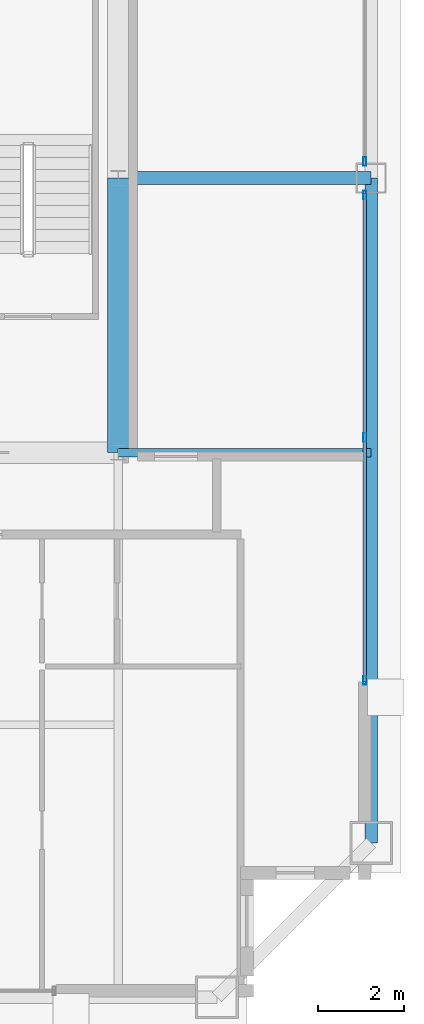
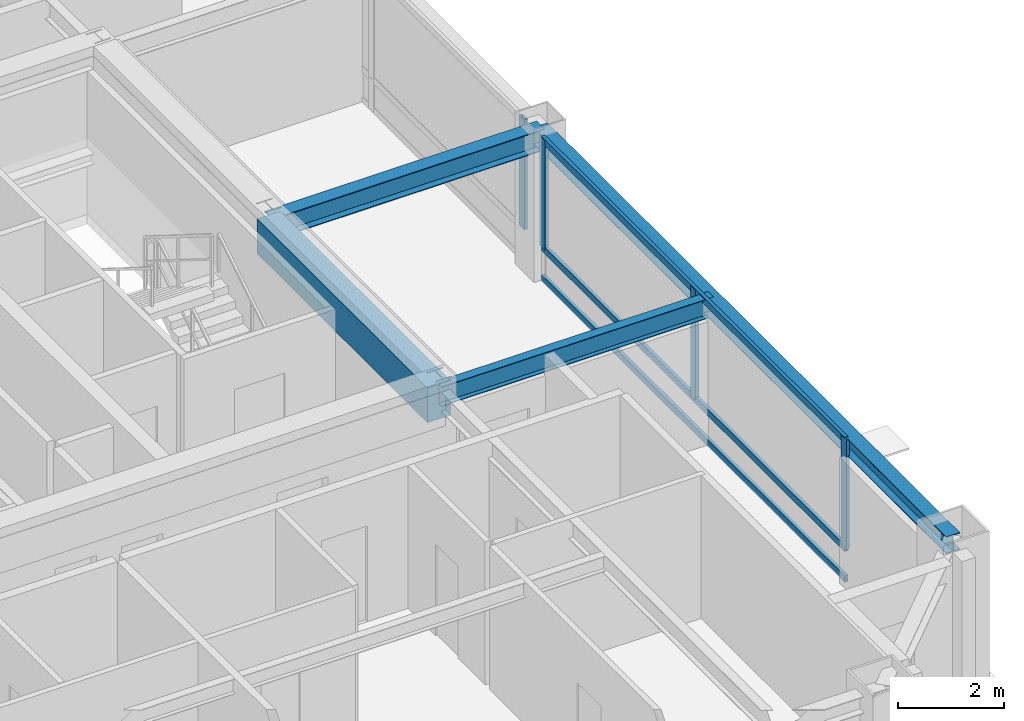
# One storey, part 14 of 35: 7 members, 4 beams, 2 elements without a shape of their own.
"""IFC4 building model written with IfcOpenShell, lengths in metres."""

from ifc_helpers import new_model, si_unit, direction, frame, origin, origin_2d, place, context, subcontext, project, spatial, rectangle, hollow_rectangle, i_section, extrude, source, transform, mapped, material, layer, layer_set, material_profile, profile_set, type_object, element, aggregate, save


model = new_model("IFC4")

# Units and contexts
model_context = context("Model", 3, precision=1e-05, world=origin(), true_north=direction((0.0, 1.0)))
body_context = subcontext(model_context, "Body", "Model", "MODEL_VIEW")
ifc_project = project(units=[si_unit("LENGTHUNIT", "METRE"), si_unit("AREAUNIT", "SQUARE_METRE"), si_unit("VOLUMEUNIT", "CUBIC_METRE"), si_unit("PLANEANGLEUNIT", "RADIAN"), si_unit("MASSUNIT", "GRAM", prefix="KILO"), si_unit("THERMODYNAMICTEMPERATUREUNIT", "KELVIN"), si_unit("POWERUNIT", "WATT")], contexts=[model_context])

# Site, building, storey
site_placement = place(None, origin())
site = spatial("IfcSite", under=ifc_project, at=site_placement, CompositionType="ELEMENT")
building_placement = place(site_placement, origin())
building = spatial("IfcBuilding", under=site, at=building_placement, Name="Yuzanri Waterfront Tower", CompositionType="ELEMENT")
storey_placement = place(building_placement, frame((0.0, 0.0, 311.199951171875)))
storey = spatial("IfcBuildingStorey", under=building, at=storey_placement, Name="L83", CompositionType="ELEMENT", Elevation=311.199951171875)

# Beams
ifc_material_1 = material(Name="Concrete C50", Category="concrete")
ifc_material_profile_1 = material_profile(ifc_material_1, rectangle(XDim=0.5, YDim=0.800048828125, at=origin_2d()), Name="RC 500x800")
ifc_profile_set_1 = profile_set([ifc_material_profile_1], Name="Concrete C50")
beam_type_1 = type_object("IfcBeamType", Name="Core Coupling Lintel Concrete C50 500x800", PredefinedType="LINTEL", material=ifc_profile_set_1)
shared_shape_1 = source(origin(), body_context, "Body", "SweptSolid", [
    extrude(rectangle(XDim=0.5, YDim=0.800048828125, at=origin_2d()), origin(), (0.0, 0.0, 1.0), 6.400146484375),
])
beam_1_placement = place(storey_placement, frame((50.199951171875, 19.39990234375, 2.880126953125), z_axis=(0.0, 1.0, 0.0), x_axis=(-1.0, 0.0, 0.0)))
element("IfcBeam", 1, at=beam_1_placement, inside=storey, type_object=beam_type_1, Name="L83 Core Tie Beam CE1", PredefinedType="LINTEL", context=body_context, shape_type="MappedRepresentation", body=[
    mapped(shared_shape_1, transform((0.0, 0.0, 0.0), scale=1.0)),
])
ifc_material_2 = material(Name="Steel Q355B", Category="steel")
ifc_material_profile_2 = material_profile(ifc_material_2, i_section(OverallWidth=0.300048828125, OverallDepth=0.389892578125, WebThickness=0.010009765625, FlangeThickness=0.01611328125, at=origin_2d()), Name="HM 390x300x10x16")
ifc_profile_set_2 = profile_set([ifc_material_profile_2], Name="Steel Q355B")
beam_type_2 = type_object("IfcBeamType", Name="Perimeter Spandrel Q355B HM 390x300", PredefinedType="SPANDREL", material=ifc_profile_set_2)
shared_shape_2 = source(origin(), body_context, "Body", "SweptSolid", [
    extrude(i_section(OverallWidth=0.300048828125, OverallDepth=0.389892578125, WebThickness=0.010009765625, FlangeThickness=0.01611328125, at=origin_2d()), origin(), (0.0, 0.0, 1.0), 15.5),
])
beam_2_placement = place(storey_placement, frame((56.10009765625, 10.300048828125, 3.0849609375), z_axis=(0.0, 1.0, 0.0), x_axis=(-1.0, 0.0, 0.0)))
element("IfcBeam", 2, at=beam_2_placement, inside=storey, type_object=beam_type_2, Name="L83 Perimeter Spandrel E1-E2", PredefinedType="SPANDREL", context=body_context, shape_type="MappedRepresentation", body=[
    mapped(shared_shape_2, transform((0.0, 0.0, 0.0), scale=1.0)),
])
ifc_material_3 = material(Name="Steel Q355B", Category="steel")
ifc_material_profile_3 = material_profile(ifc_material_3, i_section(OverallWidth=0.300048828125, OverallDepth=0.488037109375, WebThickness=0.010986328125, FlangeThickness=0.01806640625, at=origin_2d()), Name="HM 488x300x11x18")
ifc_profile_set_3 = profile_set([ifc_material_profile_3], Name="Steel Q355B")
beam_type_3 = type_object("IfcBeamType", Name="Primary Floor Girder Q355B HM 488x300", PredefinedType="BEAM", material=ifc_profile_set_3)
shared_shape_3 = source(origin(), body_context, "Body", "SweptSolid", [
    extrude(i_section(OverallWidth=0.300048828125, OverallDepth=0.488037109375, WebThickness=0.010986328125, FlangeThickness=0.01806640625, at=origin_2d()), origin(), (0.0, 0.0, 1.0), 5.900146484375),
])
beam_3_placement = place(storey_placement, frame((50.199951171875, 25.800048828125, 3.0361328125), z_axis=(1.0, 0.0, 0.0), x_axis=(0.0, 1.0, 0.0)))
element("IfcBeam", 3, at=beam_3_placement, inside=storey, type_object=beam_type_3, Name="L83 East Grid Girder", PredefinedType="BEAM", context=body_context, shape_type="MappedRepresentation", body=[
    mapped(shared_shape_3, transform((0.0, 0.0, 0.0), scale=1.0)),
])
ifc_material_4 = material(Name="Steel Q355B", Category="steel")
ifc_material_profile_4 = material_profile(ifc_material_4, i_section(OverallWidth=0.199951171875, OverallDepth=0.449951171875, WebThickness=0.009033203125, FlangeThickness=0.013916015625, at=origin_2d()), Name="HN 450x200x9x14")
ifc_profile_set_4 = profile_set([ifc_material_profile_4], Name="Steel Q355B")
beam_type_4 = type_object("IfcBeamType", Name="Secondary Floor Beam Q355B HN 450x200", PredefinedType="BEAM", material=ifc_profile_set_4)
shared_shape_4 = source(origin(), body_context, "Body", "SweptSolid", [
    extrude(i_section(OverallWidth=0.199951171875, OverallDepth=0.449951171875, WebThickness=0.009033203125, FlangeThickness=0.013916015625, at=origin_2d()), origin(), (0.0, 0.0, 1.0), 5.900146484375),
])
beam_4_placement = place(storey_placement, frame((50.199951171875, 19.39990234375, 3.054931640625), z_axis=(1.0, 0.0, 0.0), x_axis=(0.0, 1.0, 0.0)))
element("IfcBeam", 4, at=beam_4_placement, inside=storey, type_object=beam_type_4, Name="L83 East-South Core Line Beam", PredefinedType="BEAM", context=body_context, shape_type="MappedRepresentation", body=[
    mapped(shared_shape_4, transform((0.0, 0.0, 0.0), scale=1.0)),
])

# Curtain wall, members
ifc_material_5 = material(Name="Anodized Architectural Bronze", Category="metal")
ifc_layer = layer(ifc_material_5, 0.159912109375)
ifc_layer_set = layer_set([ifc_layer], Name="Anodized Architectural Bronze")
curtain_wall_type = type_object("IfcCurtainWallType", Name="Anodized Bronze High-Rise Penthouse High-Wind Unitized Curtain Wall 6900", PredefinedType="NOTDEFINED", material=ifc_layer_set)
curtain_wall_1_placement = place(storey_placement, origin())
curtain_wall_1 = element("IfcCurtainWall", 5, at=curtain_wall_1_placement, inside=storey, type_object=curtain_wall_type, Name="L83 Curtain Wall CW-L83-EL", PredefinedType="NOTDEFINED")
ifc_material_6 = material(Name="Anodized Architectural Bronze", Category="metal")
ifc_material_profile_5 = material_profile(ifc_material_6, hollow_rectangle(XDim=0.074951171875, YDim=0.199951171875, WallThickness=0.00390625, at=origin_2d()), Name="CWM 75x200")
ifc_profile_set_5 = profile_set([ifc_material_profile_5], Name="Anodized Architectural Bronze")
member_type_1 = type_object("IfcMemberType", Name="Anodized Bronze Primary Curtain-Wall Mullion 75x200", PredefinedType="MULLION", material=ifc_profile_set_5)
shared_shape_5 = source(origin(), body_context, "Body", "SweptSolid", [
    extrude(hollow_rectangle(XDim=0.074951171875, YDim=0.199951171875, WallThickness=0.00390625, at=origin_2d()), origin(), (0.0, 0.0, 1.0), 2.52392578125),
])
member_1_placement = place(storey_placement, frame((55.949951171875, 14.090087890625, 0.756103515625), z_axis=(0.0, 0.0, 1.0), x_axis=(1.0, 0.0, 0.0)))
member_1 = element("IfcMember", 6, at=member_1_placement, type_object=member_type_1, Name="CW-L83-EL Upper Mullion 00", PredefinedType="MULLION", context=body_context, shape_type="MappedRepresentation", body=[
    mapped(shared_shape_5, transform((0.0, 0.0, 0.0), scale=1.0)),
])
member_2_placement = place(storey_placement, frame((55.949951171875, 19.75, 0.756103515625), z_axis=(0.0, 0.0, 1.0), x_axis=(1.0, 0.0, 0.0)))
member_2 = element("IfcMember", 7, at=member_2_placement, type_object=member_type_1, Name="CW-L83-EL Upper Mullion 01", PredefinedType="MULLION", context=body_context, shape_type="MappedRepresentation", body=[
    mapped(shared_shape_5, transform((0.0, 0.0, 0.0), scale=1.0)),
])
member_3_placement = place(storey_placement, frame((55.949951171875, 25.409912109375, 0.756103515625), z_axis=(0.0, 0.0, 1.0), x_axis=(1.0, 0.0, 0.0)))
member_3 = element("IfcMember", 8, at=member_3_placement, type_object=member_type_1, Name="CW-L83-EL Upper Mullion 02", PredefinedType="MULLION", context=body_context, shape_type="MappedRepresentation", body=[
    mapped(shared_shape_5, transform((0.0, 0.0, 0.0), scale=1.0)),
])

# Curtain wall, member
curtain_wall_2_placement = place(storey_placement, origin())
curtain_wall_2 = element("IfcCurtainWall", 9, at=curtain_wall_2_placement, inside=storey, type_object=curtain_wall_type, Name="L83 Curtain Wall CW-L83-ER", PredefinedType="NOTDEFINED")
member_4_placement = place(storey_placement, frame((55.949951171875, 26.18994140625, 0.756103515625), z_axis=(0.0, 0.0, 1.0), x_axis=(1.0, 0.0, 0.0)))
member_4 = element("IfcMember", 10, at=member_4_placement, type_object=member_type_1, Name="CW-L83-ER Upper Mullion 00", PredefinedType="MULLION", context=body_context, shape_type="MappedRepresentation", body=[
    mapped(shared_shape_5, transform((0.0, 0.0, 0.0), scale=1.0)),
])
aggregate(curtain_wall_2, [member_4])

# Member
ifc_material_7 = material(Name="Anodized Architectural Bronze", Category="metal")
ifc_material_profile_6 = material_profile(ifc_material_7, hollow_rectangle(XDim=0.074951171875, YDim=0.14990234375, WallThickness=0.00390625, at=origin_2d()), Name="CWT 75x150")
ifc_profile_set_6 = profile_set([ifc_material_profile_6], Name="Anodized Architectural Bronze")
member_type_2 = type_object("IfcMemberType", Name="Anodized Bronze Primary Curtain-Wall Transom 75x150", PredefinedType="USERDEFINED", material=ifc_profile_set_6)
shared_shape_6 = source(origin(), body_context, "Body", "SweptSolid", [
    extrude(hollow_rectangle(XDim=0.074951171875, YDim=0.14990234375, WallThickness=0.00390625, at=origin_2d()), origin(), (0.0, 0.0, 1.0), 11.39990234375),
])
member_5_placement = place(storey_placement, frame((55.949951171875, 14.050048828125, 0.050048828125), z_axis=(0.0, 1.0, 0.0), x_axis=(-1.0, 0.0, 0.0)))
member_5 = element("IfcMember", 11, at=member_5_placement, type_object=member_type_2, Name="CW-L83-EL Transom 1", ObjectType="TRANSOM", PredefinedType="USERDEFINED", context=body_context, shape_type="MappedRepresentation", body=[
    mapped(shared_shape_6, transform((0.0, 0.0, 0.0), scale=1.0)),
])

member_6_placement = place(storey_placement, frame((55.949951171875, 14.050048828125, 0.754150390625), z_axis=(0.0, 1.0, 0.0), x_axis=(-1.0, 0.0, 0.0)))
member_6 = element("IfcMember", 12, at=member_6_placement, type_object=member_type_2, Name="CW-L83-EL Transom 2", ObjectType="TRANSOM", PredefinedType="USERDEFINED", context=body_context, shape_type="MappedRepresentation", body=[
    mapped(shared_shape_6, transform((0.0, 0.0, 0.0), scale=1.0)),
])

member_7_placement = place(storey_placement, frame((55.949951171875, 14.050048828125, 3.22998046875), z_axis=(0.0, 1.0, 0.0), x_axis=(-1.0, 0.0, 0.0)))
member_7 = element("IfcMember", 13, at=member_7_placement, type_object=member_type_2, Name="CW-L83-EL Transom 3", ObjectType="TRANSOM", PredefinedType="USERDEFINED", context=body_context, shape_type="MappedRepresentation", body=[
    mapped(shared_shape_6, transform((0.0, 0.0, 0.0), scale=1.0)),
])

aggregate(curtain_wall_1, [member_1, member_2, member_3, member_5, member_6, member_7])

save(model, "model.ifc")
